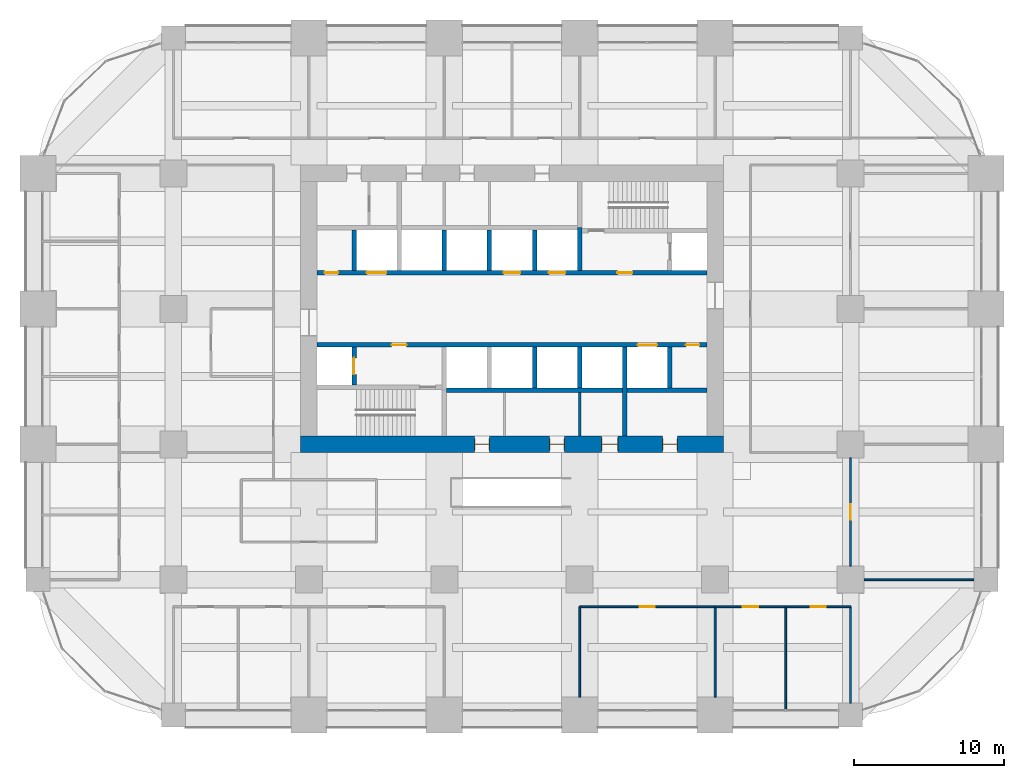
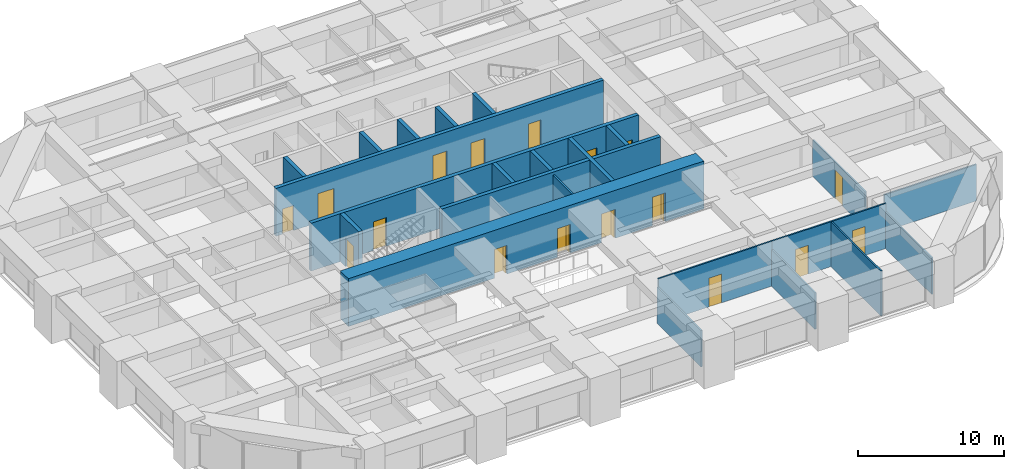
# One storey, part 39 of 43: 24 walls, 17 doors, 17 openings.
"""IFC4 building model written with IfcOpenShell, lengths in metres."""

from ifc_helpers import new_model, si_unit, direction, frame, frame_2d, origin, place, context, subcontext, project, spatial, rectangle, extrude, material, layer, layer_set, type_object, element, fill, save


model = new_model("IFC4")

# Units and contexts
model_context = context("Model", 3, precision=1e-05, world=origin(), true_north=direction((0.0, 1.0)))
body_context = subcontext(model_context, "Body", "Model", "MODEL_VIEW")
ifc_project = project(units=[si_unit("LENGTHUNIT", "METRE"), si_unit("AREAUNIT", "SQUARE_METRE"), si_unit("VOLUMEUNIT", "CUBIC_METRE"), si_unit("PLANEANGLEUNIT", "RADIAN"), si_unit("MASSUNIT", "GRAM", prefix="KILO")], contexts=[model_context])

# Site, building, storey
site_placement = place(None, origin())
site = spatial("IfcSite", under=ifc_project, at=site_placement, CompositionType="ELEMENT")
building_placement = place(site_placement, origin())
building = spatial("IfcBuilding", under=site, at=building_placement, Name="Zorevar Civic Tower", CompositionType="ELEMENT")
storey_placement = place(building_placement, frame((0.0, 0.0, 141.0)))
storey = spatial("IfcBuildingStorey", under=building, at=storey_placement, Name="L34", CompositionType="ELEMENT", Elevation=141.0)

# Wall, openings, doors
ifc_material_1 = material(Name="Concrete C50/60", Category="concrete")
ifc_layer_1 = layer(ifc_material_1, 1.10009765625)
ifc_layer_set_1 = layer_set([ifc_layer_1], Name="Core wall 1100")
wall_type_1 = type_object("IfcWallType", Name="Core wall 1100", PredefinedType="SHEAR", material=ifc_layer_set_1)
wall_1_placement = place(storey_placement, frame((17.449951171875, 18.0, 0.0), z_axis=(0.0, 0.0, 1.0), x_axis=(1.0, 0.0, 0.0)))
wall_1 = element("IfcWall", 1, at=wall_1_placement, inside=storey, type_object=wall_type_1, Name="Core wall S L34", PredefinedType="SHEAR", context=body_context, shape_type="SweptSolid", body=[
    extrude(rectangle(XDim=28.10009765625, YDim=1.10009765625, at=frame_2d((14.050048828125, 0.0))), origin(), (0.0, 0.0, 1.0), 4.0),
])
opening_1_placement = place(wall_1_placement, frame((11.550048828125, 0.0, 0.0)))
opening_1 = element("IfcOpeningElement", 2, at=opening_1_placement, cuts=wall_1, Name="Opening L34.03", PredefinedType="OPENING", context=body_context, shape_type="SweptSolid", body=[
    extrude(rectangle(XDim=1.0, YDim=2.39990234375, at=frame_2d((0.5, 1.199951171875))), frame((0.0, 0.56005859375, 0.0), z_axis=(0.0, -1.0, 0.0), x_axis=(1.0, 0.0, 0.0)), (0.0, 0.0, 1.0), 1.1201171875),
])
opening_2_placement = place(wall_1_placement, frame((16.550048828125, 0.0, 0.0)))
opening_2 = element("IfcOpeningElement", 3, at=opening_2_placement, cuts=wall_1, Name="Opening L34.04", PredefinedType="OPENING", context=body_context, shape_type="SweptSolid", body=[
    extrude(rectangle(XDim=1.0, YDim=2.39990234375, at=frame_2d((0.5, 1.199951171875))), frame((0.0, 0.56005859375, 0.0), z_axis=(0.0, -1.0, 0.0), x_axis=(1.0, 0.0, 0.0)), (0.0, 0.0, 1.0), 1.1201171875),
])
opening_3_placement = place(wall_1_placement, frame((20.0, 0.0, 0.0)))
opening_3 = element("IfcOpeningElement", 4, at=opening_3_placement, cuts=wall_1, Name="Opening L34.05", PredefinedType="OPENING", context=body_context, shape_type="SweptSolid", body=[
    extrude(rectangle(XDim=1.10009765625, YDim=2.39990234375, at=frame_2d((0.550048828125, 1.199951171875))), frame((0.0, 0.56005859375, 0.0), z_axis=(0.0, -1.0, 0.0), x_axis=(1.0, 0.0, 0.0)), (0.0, 0.0, 1.0), 1.1201171875),
])
opening_4_placement = place(wall_1_placement, frame((24.050048828125, 0.0, 0.0)))
opening_4 = element("IfcOpeningElement", 5, at=opening_4_placement, cuts=wall_1, Name="Opening L34.06", PredefinedType="OPENING", context=body_context, shape_type="SweptSolid", body=[
    extrude(rectangle(XDim=1.0, YDim=2.39990234375, at=frame_2d((0.5, 1.199951171875))), frame((0.0, 0.56005859375, 0.0), z_axis=(0.0, -1.0, 0.0), x_axis=(1.0, 0.0, 0.0)), (0.0, 0.0, 1.0), 1.1201171875),
])
ifc_material_2 = material(Name="Timber door set", Category="wood")
door_type_1 = type_object("IfcDoorType", Name="Door D1 1000x2400", OperationType="SINGLE_SWING_LEFT", PredefinedType="DOOR", material=ifc_material_2)
door_1_placement = place(opening_1_placement, origin())
door_1 = element("IfcDoor", 6, at=door_1_placement, inside=storey, type_object=door_type_1, Name="Door L34 02", OperationType="SINGLE_SWING_RIGHT", OverallHeight=2.39990234375, OverallWidth=1.0, PredefinedType="DOOR", context=body_context, shape_type="SweptSolid", body=[
    extrude(rectangle(XDim=1.0, YDim=2.39990234375, at=frame_2d((0.5, 1.199951171875))), frame((0.0, 0.02490234375, 0.0), z_axis=(0.0, -1.0, 0.0), x_axis=(1.0, 0.0, 0.0)), (0.0, 0.0, 1.0), 0.050048828125),
    extrude(rectangle(XDim=0.04, YDim=2.39990234375, at=frame_2d((0.02001953125, 1.199951171875))), frame((0.0, 0.39990234375, 0.0), z_axis=(0.0, -1.0, 0.0), x_axis=(1.0, 0.0, 0.0)), (0.0, 0.0, 1.0), 0.800048828125),
    extrude(rectangle(XDim=0.04, YDim=2.39990234375, at=frame_2d((0.97998046875, 1.199951171875))), frame((0.0, 0.39990234375, 0.0), z_axis=(0.0, -1.0, 0.0), x_axis=(1.0, 0.0, 0.0)), (0.0, 0.0, 1.0), 0.800048828125),
    extrude(rectangle(XDim=1.0, YDim=0.04, at=frame_2d((0.5, 2.3798828125))), frame((0.0, 0.39990234375, 0.0), z_axis=(0.0, -1.0, 0.0), x_axis=(1.0, 0.0, 0.0)), (0.0, 0.0, 1.0), 0.800048828125),
])
fill(opening_1, door_1)
door_2_placement = place(opening_2_placement, origin())
door_2 = element("IfcDoor", 7, at=door_2_placement, inside=storey, type_object=door_type_1, Name="Door L34 03", OperationType="SINGLE_SWING_LEFT", OverallHeight=2.39990234375, OverallWidth=1.0, PredefinedType="DOOR", context=body_context, shape_type="SweptSolid", body=[
    extrude(rectangle(XDim=1.0, YDim=2.39990234375, at=frame_2d((0.5, 1.199951171875))), frame((0.0, 0.02490234375, 0.0), z_axis=(0.0, -1.0, 0.0), x_axis=(1.0, 0.0, 0.0)), (0.0, 0.0, 1.0), 0.050048828125),
    extrude(rectangle(XDim=0.04, YDim=2.39990234375, at=frame_2d((0.02001953125, 1.199951171875))), frame((0.0, 0.39990234375, 0.0), z_axis=(0.0, -1.0, 0.0), x_axis=(1.0, 0.0, 0.0)), (0.0, 0.0, 1.0), 0.800048828125),
    extrude(rectangle(XDim=0.04, YDim=2.39990234375, at=frame_2d((0.97998046875, 1.199951171875))), frame((0.0, 0.39990234375, 0.0), z_axis=(0.0, -1.0, 0.0), x_axis=(1.0, 0.0, 0.0)), (0.0, 0.0, 1.0), 0.800048828125),
    extrude(rectangle(XDim=1.0, YDim=0.04, at=frame_2d((0.5, 2.3798828125))), frame((0.0, 0.39990234375, 0.0), z_axis=(0.0, -1.0, 0.0), x_axis=(1.0, 0.0, 0.0)), (0.0, 0.0, 1.0), 0.800048828125),
])
fill(opening_2, door_2)
door_3_placement = place(opening_4_placement, origin())
door_3 = element("IfcDoor", 8, at=door_3_placement, inside=storey, type_object=door_type_1, Name="Door L34 05", OperationType="SINGLE_SWING_LEFT", OverallHeight=2.39990234375, OverallWidth=1.0, PredefinedType="DOOR", context=body_context, shape_type="SweptSolid", body=[
    extrude(rectangle(XDim=1.0, YDim=2.39990234375, at=frame_2d((0.5, 1.199951171875))), frame((0.0, 0.02490234375, 0.0), z_axis=(0.0, -1.0, 0.0), x_axis=(1.0, 0.0, 0.0)), (0.0, 0.0, 1.0), 0.050048828125),
    extrude(rectangle(XDim=0.04, YDim=2.39990234375, at=frame_2d((0.02001953125, 1.199951171875))), frame((0.0, 0.39990234375, 0.0), z_axis=(0.0, -1.0, 0.0), x_axis=(1.0, 0.0, 0.0)), (0.0, 0.0, 1.0), 0.800048828125),
    extrude(rectangle(XDim=0.04, YDim=2.39990234375, at=frame_2d((0.97998046875, 1.199951171875))), frame((0.0, 0.39990234375, 0.0), z_axis=(0.0, -1.0, 0.0), x_axis=(1.0, 0.0, 0.0)), (0.0, 0.0, 1.0), 0.800048828125),
    extrude(rectangle(XDim=1.0, YDim=0.04, at=frame_2d((0.5, 2.3798828125))), frame((0.0, 0.39990234375, 0.0), z_axis=(0.0, -1.0, 0.0), x_axis=(1.0, 0.0, 0.0)), (0.0, 0.0, 1.0), 0.800048828125),
])
fill(opening_4, door_3)
ifc_material_3 = material(Name="Timber door set", Category="wood")
door_type_2 = type_object("IfcDoorType", Name="Door D5 1100x2400", OperationType="SINGLE_SWING_LEFT", PredefinedType="DOOR", material=ifc_material_3)
door_4_placement = place(opening_3_placement, origin())
door_4 = element("IfcDoor", 9, at=door_4_placement, inside=storey, type_object=door_type_2, Name="Door L34 04", OperationType="SINGLE_SWING_LEFT", OverallHeight=2.39990234375, OverallWidth=1.10009765625, PredefinedType="DOOR", context=body_context, shape_type="SweptSolid", body=[
    extrude(rectangle(XDim=1.10009765625, YDim=2.39990234375, at=frame_2d((0.550048828125, 1.199951171875))), frame((0.0, 0.02490234375, 0.0), z_axis=(0.0, -1.0, 0.0), x_axis=(1.0, 0.0, 0.0)), (0.0, 0.0, 1.0), 0.050048828125),
    extrude(rectangle(XDim=0.04, YDim=2.39990234375, at=frame_2d((0.02001953125, 1.199951171875))), frame((0.0, 0.43994140625, 0.0), z_axis=(0.0, -1.0, 0.0), x_axis=(1.0, 0.0, 0.0)), (0.0, 0.0, 1.0), 0.880126953125),
    extrude(rectangle(XDim=0.04, YDim=2.39990234375, at=frame_2d((1.080078125, 1.199951171875))), frame((0.0, 0.43994140625, 0.0), z_axis=(0.0, -1.0, 0.0), x_axis=(1.0, 0.0, 0.0)), (0.0, 0.0, 1.0), 0.880126953125),
    extrude(rectangle(XDim=1.10009765625, YDim=0.04, at=frame_2d((0.550048828125, 2.3798828125))), frame((0.0, 0.43994140625, 0.0), z_axis=(0.0, -1.0, 0.0), x_axis=(1.0, 0.0, 0.0)), (0.0, 0.0, 1.0), 0.880126953125),
])
fill(opening_3, door_4)

# Wall, opening, door
ifc_material_4 = material(Name="Concrete C40/50", Category="concrete")
ifc_layer_2 = layer(ifc_material_4, 0.300048828125)
ifc_layer_set_2 = layer_set([ifc_layer_2], Name="Inner core wall 300")
wall_type_2 = type_object("IfcWallType", Name="Inner core wall 300", PredefinedType="SHEAR", material=ifc_layer_set_2)
wall_2_placement = place(storey_placement, frame((21.0, 21.949951171875, 0.0), z_axis=(0.0, 0.0, 1.0), x_axis=(0.0, 1.0, 0.0)))
wall_2 = element("IfcWall", 10, at=wall_2_placement, inside=storey, type_object=wall_type_2, Name="Inner core wall S02 L34", PredefinedType="SHEAR", context=body_context, shape_type="SweptSolid", body=[
    extrude(rectangle(XDim=2.5, YDim=0.300048828125, at=frame_2d((1.25, 0.0))), origin(), (0.0, 0.0, 1.0), 4.0),
])
opening_5_placement = place(wall_2_placement, frame((0.699951171875, 0.0, 0.0)))
opening_5 = element("IfcOpeningElement", 11, at=opening_5_placement, cuts=wall_2, Name="Opening L34.FL1", PredefinedType="OPENING", context=body_context, shape_type="SweptSolid", body=[
    extrude(rectangle(XDim=1.10009765625, YDim=2.39990234375, at=frame_2d((0.550048828125, 1.199951171875))), frame((0.0, 0.159912109375, 0.0), z_axis=(0.0, -1.0, 0.0), x_axis=(1.0, 0.0, 0.0)), (0.0, 0.0, 1.0), 0.320068359375),
])
ifc_material_5 = material(Name="Steel door set", Category="steel")
door_type_3 = type_object("IfcDoorType", Name="Firefighting lift landing door LD3 1100x2400", OperationType="DOUBLE_DOOR_SLIDING", PredefinedType="DOOR", material=ifc_material_5)
door_5_placement = place(opening_5_placement, origin())
door_5 = element("IfcDoor", 12, at=door_5_placement, inside=storey, type_object=door_type_3, Name="Landing door FL1 L34", OperationType="DOUBLE_DOOR_SLIDING", OverallHeight=2.39990234375, OverallWidth=1.10009765625, PredefinedType="DOOR", context=body_context, shape_type="SweptSolid", body=[
    extrude(rectangle(XDim=1.10009765625, YDim=2.39990234375, at=frame_2d((0.550048828125, 1.199951171875))), frame((0.0, 0.030029296875, 0.0), z_axis=(0.0, -1.0, 0.0), x_axis=(1.0, 0.0, 0.0)), (0.0, 0.0, 1.0), 0.06005859375),
])
fill(opening_5, door_5)

# Wall, openings, doors
wall_3_placement = place(storey_placement, frame((18.550048828125, 24.60009765625, 0.0), z_axis=(0.0, 0.0, 1.0), x_axis=(1.0, 0.0, 0.0)))
wall_3 = element("IfcWall", 13, at=wall_3_placement, inside=storey, type_object=wall_type_2, Name="Inner core wall S03 L34", PredefinedType="SHEAR", context=body_context, shape_type="SweptSolid", body=[
    extrude(rectangle(XDim=25.89990234375, YDim=0.300048828125, at=frame_2d((12.949951171875, 0.0))), origin(), (0.0, 0.0, 1.0), 4.0),
])
opening_6_placement = place(wall_3_placement, frame((4.949951171875, 0.0, 0.0)))
opening_6 = element("IfcOpeningElement", 14, at=opening_6_placement, cuts=wall_3, Name="Opening L34.13", PredefinedType="OPENING", context=body_context, shape_type="SweptSolid", body=[
    extrude(rectangle(XDim=1.0, YDim=2.39990234375, at=frame_2d((0.5, 1.199951171875))), frame((0.0, 0.159912109375, 0.0), z_axis=(0.0, -1.0, 0.0), x_axis=(1.0, 0.0, 0.0)), (0.0, 0.0, 1.0), 0.320068359375),
])
opening_7_placement = place(wall_3_placement, frame((24.5, 0.0, 0.0)))
opening_7 = element("IfcOpeningElement", 15, at=opening_7_placement, cuts=wall_3, Name="Opening L34.15", PredefinedType="OPENING", context=body_context, shape_type="SweptSolid", body=[
    extrude(rectangle(XDim=0.89990234375, YDim=2.10009765625, at=frame_2d((0.449951171875, 1.050048828125))), frame((0.0, 0.159912109375, 0.0), z_axis=(0.0, -1.0, 0.0), x_axis=(1.0, 0.0, 0.0)), (0.0, 0.0, 1.0), 0.320068359375),
])
opening_8_placement = place(wall_3_placement, frame((21.300048828125, 0.0, 0.0)))
opening_8 = element("IfcOpeningElement", 16, at=opening_8_placement, cuts=wall_3, Name="Opening L34.SL1", PredefinedType="OPENING", context=body_context, shape_type="SweptSolid", body=[
    extrude(rectangle(XDim=1.300048828125, YDim=2.39990234375, at=frame_2d((0.64990234375, 1.199951171875))), frame((0.0, 0.159912109375, 0.0), z_axis=(0.0, -1.0, 0.0), x_axis=(1.0, 0.0, 0.0)), (0.0, 0.0, 1.0), 0.320068359375),
])
ifc_material_6 = material(Name="Steel door set", Category="steel")
door_type_4 = type_object("IfcDoorType", Name="Fire door FD1 1000x2400", OperationType="SINGLE_SWING_LEFT", PredefinedType="DOOR", material=ifc_material_6)
door_6_placement = place(opening_6_placement, origin())
door_6 = element("IfcDoor", 17, at=door_6_placement, inside=storey, type_object=door_type_4, Name="Door L34 12", OperationType="SINGLE_SWING_RIGHT", OverallHeight=2.39990234375, OverallWidth=1.0, PredefinedType="DOOR", context=body_context, shape_type="SweptSolid", body=[
    extrude(rectangle(XDim=1.0, YDim=2.39990234375, at=frame_2d((0.5, 1.199951171875))), frame((0.0, 0.030029296875, 0.0), z_axis=(0.0, -1.0, 0.0), x_axis=(1.0, 0.0, 0.0)), (0.0, 0.0, 1.0), 0.06005859375),
])
fill(opening_6, door_6)
ifc_material_7 = material(Name="Steel door set", Category="steel")
door_type_5 = type_object("IfcDoorType", Name="Landing door LD2 1300x2400", OperationType="DOUBLE_DOOR_SLIDING", PredefinedType="DOOR", material=ifc_material_7)
door_7_placement = place(opening_8_placement, origin())
door_7 = element("IfcDoor", 18, at=door_7_placement, inside=storey, type_object=door_type_5, Name="Landing door SL1 L34", OperationType="DOUBLE_DOOR_SLIDING", OverallHeight=2.39990234375, OverallWidth=1.300048828125, PredefinedType="DOOR", context=body_context, shape_type="SweptSolid", body=[
    extrude(rectangle(XDim=1.300048828125, YDim=2.39990234375, at=frame_2d((0.64990234375, 1.199951171875))), frame((0.0, 0.02001953125, 0.0), z_axis=(0.0, -1.0, 0.0), x_axis=(1.0, 0.0, 0.0)), (0.0, 0.0, 1.0), 0.0400390625),
])
fill(opening_8, door_7)
ifc_material_8 = material(Name="Steel door set", Category="steel")
door_type_6 = type_object("IfcDoorType", Name="Riser door RD1 900x2100", OperationType="SINGLE_SWING_LEFT", PredefinedType="DOOR", material=ifc_material_8)
door_8_placement = place(opening_7_placement, origin())
door_8 = element("IfcDoor", 19, at=door_8_placement, inside=storey, type_object=door_type_6, Name="Door L34 14", OperationType="SINGLE_SWING_RIGHT", OverallHeight=2.10009765625, OverallWidth=0.89990234375, PredefinedType="DOOR", context=body_context, shape_type="SweptSolid", body=[
    extrude(rectangle(XDim=0.89990234375, YDim=2.10009765625, at=frame_2d((0.449951171875, 1.050048828125))), frame((0.0, 0.030029296875, 0.0), z_axis=(0.0, -1.0, 0.0), x_axis=(1.0, 0.0, 0.0)), (0.0, 0.0, 1.0), 0.06005859375),
])
fill(opening_7, door_8)

wall_4_placement = place(storey_placement, frame((18.550048828125, 29.39990234375, 0.0), z_axis=(0.0, 0.0, 1.0), x_axis=(1.0, 0.0, 0.0)))
wall_4 = element("IfcWall", 20, at=wall_4_placement, inside=storey, type_object=wall_type_2, Name="Inner core wall N03 L34", PredefinedType="SHEAR", context=body_context, shape_type="SweptSolid", body=[
    extrude(rectangle(XDim=25.89990234375, YDim=0.300048828125, at=frame_2d((12.949951171875, 0.0))), origin(), (0.0, 0.0, 1.0), 4.0),
])
opening_9_placement = place(wall_4_placement, frame((19.949951171875, 0.0, 0.0)))
opening_9 = element("IfcOpeningElement", 21, at=opening_9_placement, cuts=wall_4, Name="Opening L34.14", PredefinedType="OPENING", context=body_context, shape_type="SweptSolid", body=[
    extrude(rectangle(XDim=1.0, YDim=2.39990234375, at=frame_2d((0.5, 1.199951171875))), frame((0.0, 0.159912109375, 0.0), z_axis=(0.0, -1.0, 0.0), x_axis=(1.0, 0.0, 0.0)), (0.0, 0.0, 1.0), 0.320068359375),
])
opening_10_placement = place(wall_4_placement, frame((0.5, 0.0, 0.0)))
opening_10 = element("IfcOpeningElement", 22, at=opening_10_placement, cuts=wall_4, Name="Opening L34.16", PredefinedType="OPENING", context=body_context, shape_type="SweptSolid", body=[
    extrude(rectangle(XDim=0.89990234375, YDim=2.10009765625, at=frame_2d((0.449951171875, 1.050048828125))), frame((0.0, 0.159912109375, 0.0), z_axis=(0.0, -1.0, 0.0), x_axis=(1.0, 0.0, 0.0)), (0.0, 0.0, 1.0), 0.320068359375),
])
opening_11_placement = place(wall_4_placement, frame((15.39990234375, 0.0, 0.0)))
opening_11 = element("IfcOpeningElement", 23, at=opening_11_placement, cuts=wall_4, Name="Opening L34.LM1", PredefinedType="OPENING", context=body_context, shape_type="SweptSolid", body=[
    extrude(rectangle(XDim=1.10009765625, YDim=2.39990234375, at=frame_2d((0.550048828125, 1.199951171875))), frame((0.0, 0.159912109375, 0.0), z_axis=(0.0, -1.0, 0.0), x_axis=(1.0, 0.0, 0.0)), (0.0, 0.0, 1.0), 0.320068359375),
])
opening_12_placement = place(wall_4_placement, frame((12.39990234375, 0.0, 0.0)))
opening_12 = element("IfcOpeningElement", 24, at=opening_12_placement, cuts=wall_4, Name="Opening L34.LM2", PredefinedType="OPENING", context=body_context, shape_type="SweptSolid", body=[
    extrude(rectangle(XDim=1.10009765625, YDim=2.39990234375, at=frame_2d((0.550048828125, 1.199951171875))), frame((0.0, 0.159912109375, 0.0), z_axis=(0.0, -1.0, 0.0), x_axis=(1.0, 0.0, 0.0)), (0.0, 0.0, 1.0), 0.320068359375),
])
opening_13_placement = place(wall_4_placement, frame((3.300048828125, 0.0, 0.0)))
opening_13 = element("IfcOpeningElement", 25, at=opening_13_placement, cuts=wall_4, Name="Opening L34.SL2", PredefinedType="OPENING", context=body_context, shape_type="SweptSolid", body=[
    extrude(rectangle(XDim=1.300048828125, YDim=2.39990234375, at=frame_2d((0.64990234375, 1.199951171875))), frame((0.0, 0.159912109375, 0.0), z_axis=(0.0, -1.0, 0.0), x_axis=(1.0, 0.0, 0.0)), (0.0, 0.0, 1.0), 0.320068359375),
])
door_9_placement = place(opening_9_placement, origin())
door_9 = element("IfcDoor", 26, at=door_9_placement, inside=storey, type_object=door_type_4, Name="Door L34 13", OperationType="SINGLE_SWING_RIGHT", OverallHeight=2.39990234375, OverallWidth=1.0, PredefinedType="DOOR", context=body_context, shape_type="SweptSolid", body=[
    extrude(rectangle(XDim=1.0, YDim=2.39990234375, at=frame_2d((0.5, 1.199951171875))), frame((0.0, 0.030029296875, 0.0), z_axis=(0.0, -1.0, 0.0), x_axis=(1.0, 0.0, 0.0)), (0.0, 0.0, 1.0), 0.06005859375),
])
fill(opening_9, door_9)
ifc_material_9 = material(Name="Steel door set", Category="steel")
door_type_7 = type_object("IfcDoorType", Name="Landing door LD1 1100x2400", OperationType="DOUBLE_DOOR_SLIDING", PredefinedType="DOOR", material=ifc_material_9)
door_10_placement = place(opening_11_placement, origin())
door_10 = element("IfcDoor", 27, at=door_10_placement, inside=storey, type_object=door_type_7, Name="Landing door LM1 L34", OperationType="DOUBLE_DOOR_SLIDING", OverallHeight=2.39990234375, OverallWidth=1.10009765625, PredefinedType="DOOR", context=body_context, shape_type="SweptSolid", body=[
    extrude(rectangle(XDim=1.10009765625, YDim=2.39990234375, at=frame_2d((0.550048828125, 1.199951171875))), frame((0.0, 0.02001953125, 0.0), z_axis=(0.0, -1.0, 0.0), x_axis=(1.0, 0.0, 0.0)), (0.0, 0.0, 1.0), 0.0400390625),
])
fill(opening_11, door_10)
door_11_placement = place(opening_12_placement, origin())
door_11 = element("IfcDoor", 28, at=door_11_placement, inside=storey, type_object=door_type_7, Name="Landing door LM2 L34", OperationType="DOUBLE_DOOR_SLIDING", OverallHeight=2.39990234375, OverallWidth=1.10009765625, PredefinedType="DOOR", context=body_context, shape_type="SweptSolid", body=[
    extrude(rectangle(XDim=1.10009765625, YDim=2.39990234375, at=frame_2d((0.550048828125, 1.199951171875))), frame((0.0, 0.02001953125, 0.0), z_axis=(0.0, -1.0, 0.0), x_axis=(1.0, 0.0, 0.0)), (0.0, 0.0, 1.0), 0.0400390625),
])
fill(opening_12, door_11)
door_12_placement = place(opening_13_placement, origin())
door_12 = element("IfcDoor", 29, at=door_12_placement, inside=storey, type_object=door_type_5, Name="Landing door SL2 L34", OperationType="DOUBLE_DOOR_SLIDING", OverallHeight=2.39990234375, OverallWidth=1.300048828125, PredefinedType="DOOR", context=body_context, shape_type="SweptSolid", body=[
    extrude(rectangle(XDim=1.300048828125, YDim=2.39990234375, at=frame_2d((0.64990234375, 1.199951171875))), frame((0.0, 0.02001953125, 0.0), z_axis=(0.0, -1.0, 0.0), x_axis=(1.0, 0.0, 0.0)), (0.0, 0.0, 1.0), 0.0400390625),
])
fill(opening_13, door_12)
door_13_placement = place(opening_10_placement, origin())
door_13 = element("IfcDoor", 30, at=door_13_placement, inside=storey, type_object=door_type_6, Name="Door L34 15", OperationType="SINGLE_SWING_RIGHT", OverallHeight=2.10009765625, OverallWidth=0.89990234375, PredefinedType="DOOR", context=body_context, shape_type="SweptSolid", body=[
    extrude(rectangle(XDim=0.89990234375, YDim=2.10009765625, at=frame_2d((0.449951171875, 1.050048828125))), frame((0.0, 0.030029296875, 0.0), z_axis=(0.0, -1.0, 0.0), x_axis=(1.0, 0.0, 0.0)), (0.0, 0.0, 1.0), 0.06005859375),
])
fill(opening_10, door_13)

# Walls
wall_5_placement = place(storey_placement, frame((27.14990234375, 21.60009765625, 0.0), z_axis=(0.0, 0.0, 1.0), x_axis=(1.0, 0.0, 0.0)))
element("IfcWall", 31, at=wall_5_placement, inside=storey, type_object=wall_type_2, Name="Inner core wall S04 L34", PredefinedType="SHEAR", context=body_context, shape_type="SweptSolid", body=[
    extrude(rectangle(XDim=17.300048828125, YDim=0.300048828125, at=frame_2d((8.64990234375, 0.0))), origin(), (0.0, 0.0, 1.0), 4.0),
])
for number, where, z_axis, x_axis, name in (
    (32, (33.0, 29.550048828125, 0.0), (0.0, 0.0, 1.0), (0.0, 1.0, 0.0), "Inner core wall N05 L34"),
    (33, (33.0, 21.75, 0.0), (0.0, 0.0, 1.0), (0.0, 1.0, 0.0), "Inner core wall S06 L34"),
    (34, (30.0, 29.550048828125, 0.0), (0.0, 0.0, 1.0), (0.0, 1.0, 0.0), "Inner core wall N06 L34"),
    (35, (36.0, 21.75, 0.0), (0.0, 0.0, 1.0), (0.0, 1.0, 0.0), "Inner core wall S07 L34"),
    (36, (27.0, 29.550048828125, 0.0), (0.0, 0.0, 1.0), (0.0, 1.0, 0.0), "Inner core wall N07 L34"),
):
    element("IfcWall", number, at=place(storey_placement, frame(where, z_axis=z_axis, x_axis=x_axis)), inside=storey, type_object=wall_type_2, Name=name, PredefinedType="SHEAR", context=body_context, shape_type="SweptSolid", body=[
        extrude(rectangle(XDim=2.699951171875, YDim=0.300048828125, at=frame_2d((1.35009765625, 0.0))), origin(), (0.0, 0.0, 1.0), 4.0),
    ])
wall_6_placement = place(storey_placement, frame((39.0, 18.550048828125, 0.0), z_axis=(0.0, 0.0, 1.0), x_axis=(0.0, 1.0, 0.0)))
element("IfcWall", 37, at=wall_6_placement, inside=storey, type_object=wall_type_2, Name="Inner core wall S08 L34", PredefinedType="SHEAR", context=body_context, shape_type="SweptSolid", body=[
    extrude(rectangle(XDim=5.89990234375, YDim=0.300048828125, at=frame_2d((2.949951171875, 0.0))), origin(), (0.0, 0.0, 1.0), 4.0),
])
for number, where, z_axis, x_axis, name in (
    (38, (42.0, 21.75, 0.0), (0.0, 0.0, 1.0), (0.0, 1.0, 0.0), "Inner core wall S09 L34"),
    (39, (21.0, 29.550048828125, 0.0), (0.0, 0.0, 1.0), (0.0, 1.0, 0.0), "Inner core wall N09 L34"),
):
    element("IfcWall", number, at=place(storey_placement, frame(where, z_axis=z_axis, x_axis=x_axis)), inside=storey, type_object=wall_type_2, Name=name, PredefinedType="SHEAR", context=body_context, shape_type="SweptSolid", body=[
        extrude(rectangle(XDim=2.699951171875, YDim=0.300048828125, at=frame_2d((1.35009765625, 0.0))), origin(), (0.0, 0.0, 1.0), 4.0),
    ])
wall_7_placement = place(storey_placement, frame((36.0, 29.550048828125, 0.0), z_axis=(0.0, 0.0, 1.0), x_axis=(0.0, 1.0, 0.0)))
element("IfcWall", 40, at=wall_7_placement, inside=storey, type_object=wall_type_2, Name="Inner core wall N10 L34", PredefinedType="SHEAR", context=body_context, shape_type="SweptSolid", body=[
    extrude(rectangle(XDim=2.849853515625, YDim=0.300048828125, at=frame_2d((1.4248046875, 0.0))), origin(), (0.0, 0.0, 1.0), 4.0),
])

# Wall, opening, door
ifc_material_10 = material(Name="Gypsum board on steel studs", Category="steel")
ifc_layer_3 = layer(ifc_material_10, 0.1201171875)
ifc_layer_set_3 = layer_set([ifc_layer_3], Name="Partition 120")
wall_type_3 = type_object("IfcWallType", Name="Partition 120", PredefinedType="PARTITIONING", material=ifc_layer_set_3)
wall_8_placement = place(storey_placement, frame((36.0, 7.199951171875, 0.0), z_axis=(0.0, 0.0, 1.0), x_axis=(1.0, 0.0, 0.0)))
wall_8 = element("IfcWall", 41, at=wall_8_placement, inside=storey, type_object=wall_type_3, Name="Partition 120 L34", PredefinedType="PARTITIONING", context=body_context, shape_type="SweptSolid", body=[
    extrude(rectangle(XDim=9.0, YDim=0.1201171875, at=frame_2d((4.5, 0.0))), origin(), (0.0, 0.0, 1.0), 3.75),
])
opening_14_placement = place(wall_8_placement, frame((4.0, 0.0, 0.0)))
opening_14 = element("IfcOpeningElement", 42, at=opening_14_placement, cuts=wall_8, Name="Opening L34.20", PredefinedType="OPENING", context=body_context, shape_type="SweptSolid", body=[
    extrude(rectangle(XDim=1.0, YDim=2.39990234375, at=frame_2d((0.5, 1.199951171875))), frame((0.0, 0.070068359375, 0.0), z_axis=(0.0, -1.0, 0.0), x_axis=(1.0, 0.0, 0.0)), (0.0, 0.0, 1.0), 0.14013671875),
])
door_14_placement = place(opening_14_placement, origin())
door_14 = element("IfcDoor", 43, at=door_14_placement, inside=storey, type_object=door_type_1, Name="Door L34 D1", OperationType="SINGLE_SWING_LEFT", OverallHeight=2.39990234375, OverallWidth=1.0, PredefinedType="DOOR", context=body_context, shape_type="SweptSolid", body=[
    extrude(rectangle(XDim=1.0, YDim=2.39990234375, at=frame_2d((0.5, 1.199951171875))), frame((0.0, 0.02490234375, 0.0), z_axis=(0.0, -1.0, 0.0), x_axis=(1.0, 0.0, 0.0)), (0.0, 0.0, 1.0), 0.050048828125),
])
fill(opening_14, door_14)

wall_9_placement = place(storey_placement, frame((45.0, 7.199951171875, 0.0), z_axis=(0.0, 0.0, 1.0), x_axis=(1.0, 0.0, 0.0)))
wall_9 = element("IfcWall", 44, at=wall_9_placement, inside=storey, type_object=wall_type_3, Name="Partition 120 L34", PredefinedType="PARTITIONING", context=body_context, shape_type="SweptSolid", body=[
    extrude(rectangle(XDim=4.699951171875, YDim=0.1201171875, at=frame_2d((2.35009765625, 0.0))), origin(), (0.0, 0.0, 1.0), 3.75),
])
opening_15_placement = place(wall_9_placement, frame((1.85009765625, 0.0, 0.0)))
opening_15 = element("IfcOpeningElement", 45, at=opening_15_placement, cuts=wall_9, Name="Opening L34.21", PredefinedType="OPENING", context=body_context, shape_type="SweptSolid", body=[
    extrude(rectangle(XDim=1.0, YDim=2.39990234375, at=frame_2d((0.5, 1.199951171875))), frame((0.0, 0.070068359375, 0.0), z_axis=(0.0, -1.0, 0.0), x_axis=(1.0, 0.0, 0.0)), (0.0, 0.0, 1.0), 0.14013671875),
])
door_15_placement = place(opening_15_placement, origin())
door_15 = element("IfcDoor", 46, at=door_15_placement, inside=storey, type_object=door_type_1, Name="Door L34 D1", OperationType="SINGLE_SWING_LEFT", OverallHeight=2.39990234375, OverallWidth=1.0, PredefinedType="DOOR", context=body_context, shape_type="SweptSolid", body=[
    extrude(rectangle(XDim=1.0, YDim=2.39990234375, at=frame_2d((0.5, 1.199951171875))), frame((0.0, 0.02490234375, 0.0), z_axis=(0.0, -1.0, 0.0), x_axis=(1.0, 0.0, 0.0)), (0.0, 0.0, 1.0), 0.050048828125),
])
fill(opening_15, door_15)

wall_10_placement = place(storey_placement, frame((49.699951171875, 7.199951171875, 0.0), z_axis=(0.0, 0.0, 1.0), x_axis=(1.0, 0.0, 0.0)))
wall_10 = element("IfcWall", 47, at=wall_10_placement, inside=storey, type_object=wall_type_3, Name="Partition 120 L34", PredefinedType="PARTITIONING", context=body_context, shape_type="SweptSolid", body=[
    extrude(rectangle(XDim=4.300048828125, YDim=0.1201171875, at=frame_2d((2.14990234375, 0.0))), origin(), (0.0, 0.0, 1.0), 3.75),
])
opening_16_placement = place(wall_10_placement, frame((1.64990234375, 0.0, 0.0)))
opening_16 = element("IfcOpeningElement", 48, at=opening_16_placement, cuts=wall_10, Name="Opening L34.22", PredefinedType="OPENING", context=body_context, shape_type="SweptSolid", body=[
    extrude(rectangle(XDim=1.0, YDim=2.39990234375, at=frame_2d((0.5, 1.199951171875))), frame((0.0, 0.070068359375, 0.0), z_axis=(0.0, -1.0, 0.0), x_axis=(1.0, 0.0, 0.0)), (0.0, 0.0, 1.0), 0.14013671875),
])
door_16_placement = place(opening_16_placement, origin())
door_16 = element("IfcDoor", 49, at=door_16_placement, inside=storey, type_object=door_type_1, Name="Door L34 D1", OperationType="SINGLE_SWING_LEFT", OverallHeight=2.39990234375, OverallWidth=1.0, PredefinedType="DOOR", context=body_context, shape_type="SweptSolid", body=[
    extrude(rectangle(XDim=1.0, YDim=2.39990234375, at=frame_2d((0.5, 1.199951171875))), frame((0.0, 0.02490234375, 0.0), z_axis=(0.0, -1.0, 0.0), x_axis=(1.0, 0.0, 0.0)), (0.0, 0.0, 1.0), 0.050048828125),
])
fill(opening_16, door_16)

# Walls
wall_11_placement = place(storey_placement, frame((54.89990234375, 9.0, 0.0), z_axis=(0.0, 0.0, 1.0), x_axis=(1.0, 0.0, 0.0)))
element("IfcWall", 50, at=wall_11_placement, inside=storey, type_object=wall_type_3, Name="Partition 120 L34", PredefinedType="PARTITIONING", context=body_context, shape_type="SweptSolid", body=[
    extrude(rectangle(XDim=7.300048828125, YDim=0.1201171875, at=frame_2d((3.64990234375, 0.0))), origin(), (0.0, 0.0, 1.0), 3.050048828125),
])
for number, where, z_axis, x_axis, name in (
    (51, (36.0, 1.199951171875, 0.0), (0.0, 0.0, 1.0), (0.0, 1.0, 0.0), "Partition 120 L34"),
    (52, (45.0, 1.199951171875, 0.0), (0.0, 0.0, 1.0), (0.0, 1.0, 0.0), "Partition 120 L34"),
):
    element("IfcWall", number, at=place(storey_placement, frame(where, z_axis=z_axis, x_axis=x_axis)), inside=storey, type_object=wall_type_3, Name=name, PredefinedType="PARTITIONING", context=body_context, shape_type="SweptSolid", body=[
        extrude(rectangle(XDim=6.0, YDim=0.1201171875, at=frame_2d((3.0, 0.0))), origin(), (0.0, 0.0, 1.0), 3.050048828125),
    ])
wall_12_placement = place(storey_placement, frame((49.699951171875, 0.31005859375, 0.0), z_axis=(0.0, 0.0, 1.0), x_axis=(0.0, 1.0, 0.0)))
element("IfcWall", 53, at=wall_12_placement, inside=storey, type_object=wall_type_3, Name="Partition 120 L34", PredefinedType="PARTITIONING", context=body_context, shape_type="SweptSolid", body=[
    extrude(rectangle(XDim=6.889892578125, YDim=0.1201171875, at=frame_2d((3.44482421875, 0.0))), origin(), (0.0, 0.0, 1.0), 3.75),
])
wall_13_placement = place(storey_placement, frame((54.0, 0.800048828125, 0.0), z_axis=(0.0, 0.0, 1.0), x_axis=(0.0, 1.0, 0.0)))
element("IfcWall", 54, at=wall_13_placement, inside=storey, type_object=wall_type_3, Name="Partition 120 L34", PredefinedType="PARTITIONING", context=body_context, shape_type="SweptSolid", body=[
    extrude(rectangle(XDim=6.39990234375, YDim=0.1201171875, at=frame_2d((3.199951171875, 0.0))), origin(), (0.0, 0.0, 1.0), 3.050048828125),
])

# Wall, opening, door
wall_14_placement = place(storey_placement, frame((54.0, 9.89990234375, 0.0), z_axis=(0.0, 0.0, 1.0), x_axis=(0.0, 1.0, 0.0)))
wall_14 = element("IfcWall", 55, at=wall_14_placement, inside=storey, type_object=wall_type_3, Name="Partition 120 L34", PredefinedType="PARTITIONING", context=body_context, shape_type="SweptSolid", body=[
    extrude(rectangle(XDim=7.2001953125, YDim=0.1201171875, at=frame_2d((3.60009765625, 0.0))), origin(), (0.0, 0.0, 1.0), 3.050048828125),
])
opening_17_placement = place(wall_14_placement, frame((3.10009765625, 0.0, 0.0)))
opening_17 = element("IfcOpeningElement", 56, at=opening_17_placement, cuts=wall_14, Name="Opening L34.40", PredefinedType="OPENING", context=body_context, shape_type="SweptSolid", body=[
    extrude(rectangle(XDim=1.0, YDim=2.39990234375, at=frame_2d((0.5, 1.199951171875))), frame((0.0, 0.070068359375, 0.0), z_axis=(0.0, -1.0, 0.0), x_axis=(1.0, 0.0, 0.0)), (0.0, 0.0, 1.0), 0.14013671875),
])
door_17_placement = place(opening_17_placement, origin())
door_17 = element("IfcDoor", 57, at=door_17_placement, inside=storey, type_object=door_type_1, Name="Door L34 D1", OperationType="SINGLE_SWING_RIGHT", OverallHeight=2.39990234375, OverallWidth=1.0, PredefinedType="DOOR", context=body_context, shape_type="SweptSolid", body=[
    extrude(rectangle(XDim=1.0, YDim=2.39990234375, at=frame_2d((0.5, 1.199951171875))), frame((0.0, 0.02490234375, 0.0), z_axis=(0.0, -1.0, 0.0), x_axis=(1.0, 0.0, 0.0)), (0.0, 0.0, 1.0), 0.050048828125),
])
fill(opening_17, door_17)

# Wall
ifc_material_11 = material(Name="Gypsum board on steel studs, moisture resistant", Category="steel")
ifc_layer_4 = layer(ifc_material_11, 0.14990234375)
ifc_layer_set_4 = layer_set([ifc_layer_4], Name="WC partition 150")
wall_type_4 = type_object("IfcWallType", Name="WC partition 150", PredefinedType="PARTITIONING", material=ifc_layer_set_4)
wall_15_placement = place(storey_placement, frame((36.0, 18.550048828125, 0.0), z_axis=(0.0, 0.0, 1.0), x_axis=(0.0, 1.0, 0.0)))
element("IfcWall", 58, at=wall_15_placement, inside=storey, type_object=wall_type_4, Name="WC partition L34", PredefinedType="PARTITIONING", context=body_context, shape_type="SweptSolid", body=[
    extrude(rectangle(XDim=2.89990234375, YDim=0.14990234375, at=frame_2d((1.449951171875, 0.0))), origin(), (0.0, 0.0, 1.0), 3.75),
])

save(model, "model.ifc")
